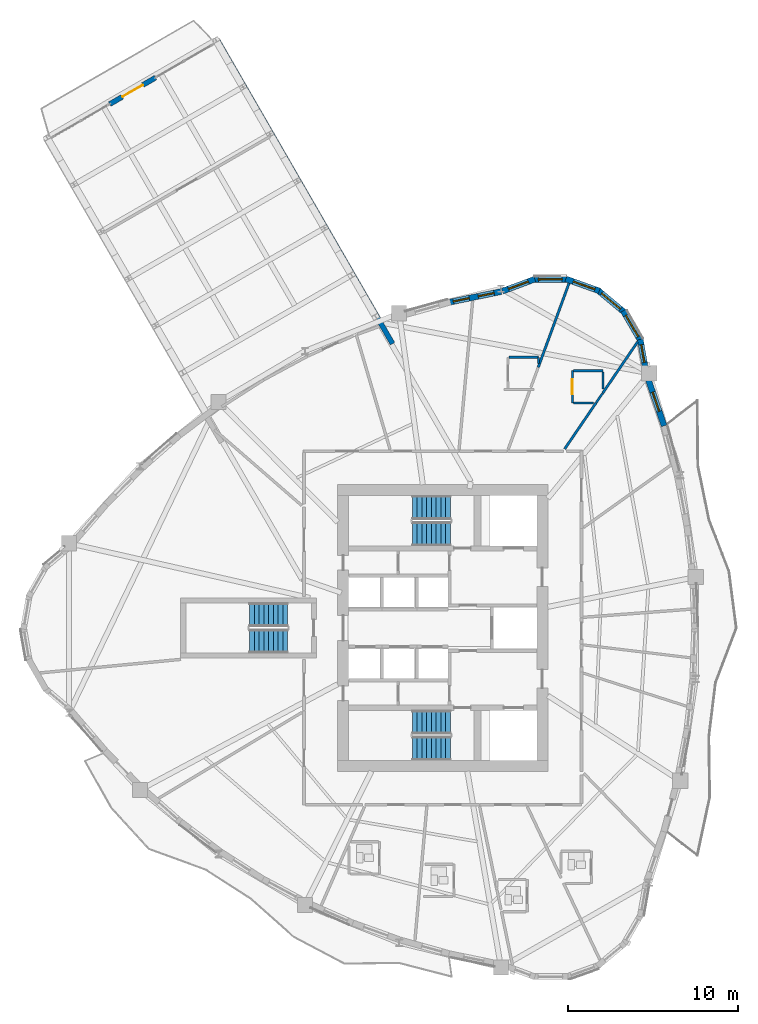
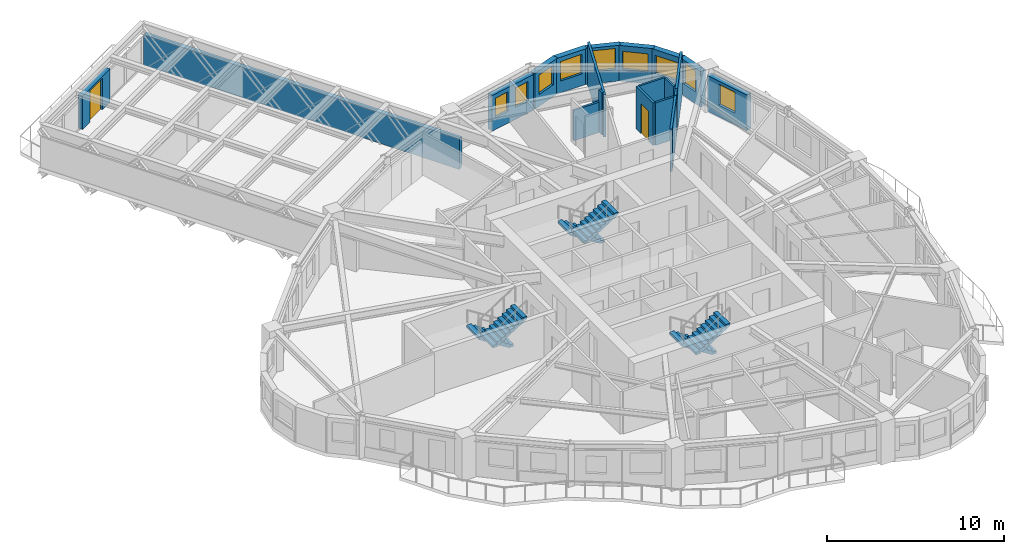
# One storey, part 10 of 14: 20 walls, 9 windows, 6 stair flights, 2 doors, 11 openings, 3 elements without a shape of their own.
"""IFC4 building model written with IfcOpenShell, lengths in metres."""

from ifc_helpers import new_model, si_unit, direction, frame, frame_2d, origin, place, context, subcontext, project, spatial, polyline, rectangle, outline, extrude, source, transform, mapped, material, layer, layer_set, type_object, element, fill, aggregate, save


model = new_model("IFC4")

# Units and contexts
model_context = context("Model", 3, precision=1e-05, world=origin(), true_north=direction((0.0, 1.0)))
body_context = subcontext(model_context, "Body", "Model", "MODEL_VIEW")
ifc_project = project(units=[si_unit("LENGTHUNIT", "METRE"), si_unit("AREAUNIT", "SQUARE_METRE"), si_unit("VOLUMEUNIT", "CUBIC_METRE"), si_unit("PLANEANGLEUNIT", "RADIAN"), si_unit("MASSUNIT", "GRAM", prefix="KILO")], contexts=[model_context])

# Site, building, storey
site_placement = place(None, origin())
site = spatial("IfcSite", under=ifc_project, at=site_placement, CompositionType="ELEMENT")
building_placement = place(site_placement, origin())
building = spatial("IfcBuilding", under=site, at=building_placement, Name="Qafzar Sky-Pleat Residences", CompositionType="ELEMENT")
storey_placement = place(building_placement, frame((0.0, 0.0, 83.199951171875)))
storey = spatial("IfcBuildingStorey", under=building, at=storey_placement, Name="L24", CompositionType="ELEMENT", Elevation=83.199951171875)

# Walls
ifc_material_1 = material(Name="Acoustic gypsum plasterboard partition", Category="gypsum")
ifc_layer_1 = layer(ifc_material_1, 0.14501953125)
ifc_layer_set_1 = layer_set([ifc_layer_1], Name="Acoustic gypsum plasterboard partition")
wall_type_1 = type_object("IfcWallType", Name="PART-UNIT-145", PredefinedType="PARTITIONING", material=ifc_layer_set_1)
wall_1_placement = place(storey_placement, frame((35.98291015625, 41.373046875, 0.0), z_axis=(0.0, 0.0, 1.0), x_axis=(0.343972978133, 0.938979547335, 0.0)))
element("IfcWall", 1, at=wall_1_placement, inside=storey, type_object=wall_type_1, Name="L24 Partition Wall PART-L24-PW-037", PredefinedType="PARTITIONING", context=body_context, shape_type="SweptSolid", body=[
    extrude(rectangle(XDim=5.272216796875, YDim=0.14501953125, at=frame_2d((2.63623046875, 0.0))), origin(), (0.0, 0.0, 1.0), 2.93505859375),
])
wall_2_placement = place(storey_placement, frame((39.781982421875, 39.846923828125, 0.0), z_axis=(0.0, 0.0, 1.0), x_axis=(0.562744405359, 0.826630954077, 0.0)))
element("IfcWall", 2, at=wall_2_placement, inside=storey, type_object=wall_type_1, Name="L24 Partition Wall PART-L24-PW-042", PredefinedType="PARTITIONING", context=body_context, shape_type="SweptSolid", body=[
    extrude(rectangle(XDim=3.658203125, YDim=0.14501953125, at=frame_2d((1.8291015625, 0.0))), origin(), (0.0, 0.0, 1.0), 2.93505859375),
])
wall_3_placement = place(storey_placement, frame((37.540771484375, 36.557373046875, 0.0), z_axis=(0.0, 0.0, 1.0), x_axis=(0.563020017907, 0.826443258449, 0.0)))
element("IfcWall", 3, at=wall_3_placement, inside=storey, type_object=wall_type_1, Name="L24 Partition Wall PART-L24-PW-044", PredefinedType="PARTITIONING", context=body_context, shape_type="SweptSolid", body=[
    extrude(rectangle(XDim=3.30029296875, YDim=0.14501953125, at=frame_2d((1.650146484375, 0.0))), origin(), (0.0, 0.0, 1.0), 2.93505859375),
])

# Wall, opening, door
ifc_material_2 = material(Name="Moisture-resistant gypsum partition", Category="gypsum")
ifc_layer_2 = layer(ifc_material_2, 0.1298828125)
ifc_layer_set_2 = layer_set([ifc_layer_2], Name="Moisture-resistant gypsum partition")
wall_type_2 = type_object("IfcWallType", Name="PART-WET-130", PredefinedType="PARTITIONING", material=ifc_layer_set_2)
wall_4_placement = place(storey_placement, frame((37.9970703125, 41.169921875, 0.0), z_axis=(0.0, 0.0, 1.0), x_axis=(0.0, -1.0, 0.0)))
wall_4 = element("IfcWall", 4, at=wall_4_placement, inside=storey, type_object=wall_type_2, Name="L24 Partition Wall PART-L24-PW-022", PredefinedType="PARTITIONING", context=body_context, shape_type="SweptSolid", body=[
    extrude(rectangle(XDim=1.89990234375, YDim=0.1298828125, at=frame_2d((0.949951171875, 0.0))), origin(), (0.0, 0.0, 1.0), 2.93505859375),
])
opening_1_placement = place(wall_4_placement, frame((0.510009765625, 0.0, 0.0)))
opening_1 = element("IfcOpeningElement", 5, at=opening_1_placement, cuts=wall_4, Name="Opening ID-07", PredefinedType="OPENING", context=body_context, shape_type="SweptSolid", body=[
    extrude(rectangle(XDim=0.8798828125, YDim=2.050048828125, at=frame_2d((0.43994140625, 1.02490234375))), frame((0.0, 0.074951171875, 0.0), z_axis=(0.0, -1.0, 0.0), x_axis=(1.0, 0.0, 0.0)), (0.0, 0.0, 1.0), 0.14990234375),
])
ifc_material_3 = material(Name="Timber-faced fire door", Category="wood")
door_type_1 = type_object("IfcDoorType", Name="DR-WET-880", OperationType="NOTDEFINED", PredefinedType="DOOR", material=ifc_material_3)
shared_shape_1 = source(origin(), body_context, "Body", "SweptSolid", [
    extrude(rectangle(XDim=0.8798828125, YDim=2.050048828125, at=frame_2d((0.43994140625, 1.02490234375))), frame((0.0, 0.02490234375, 0.0), z_axis=(0.0, -1.0, 0.0), x_axis=(1.0, 0.0, 0.0)), (0.0, 0.0, 1.0), 0.050048828125),
])
door_1_placement = place(opening_1_placement, origin())
door_1 = element("IfcDoor", 6, at=door_1_placement, inside=storey, type_object=door_type_1, Name="L24 En-suite Bathroom 5 Door", OperationType="SINGLE_SWING_RIGHT", OverallHeight=2.050048828125, OverallWidth=0.8798828125, PredefinedType="DOOR", context=body_context, shape_type="MappedRepresentation", body=[
    mapped(shared_shape_1, transform((0.0, 0.0, 0.0), x_axis=(1.0, 0.0, 0.0), y_axis=(0.0, 1.0, 0.0), z_axis=(0.0, 0.0, 1.0), scale=1.0)),
])
fill(opening_1, door_1)

# Walls
wall_5_placement = place(storey_placement, frame((38.070068359375, 41.169921875, 0.0), z_axis=(0.0, 0.0, 1.0), x_axis=(1.0, 0.0, 0.0)))
element("IfcWall", 7, at=wall_5_placement, inside=storey, type_object=wall_type_2, Name="L24 Partition Wall PART-L24-PW-056", PredefinedType="PARTITIONING", context=body_context, shape_type="SweptSolid", body=[
    extrude(rectangle(XDim=1.72705078125, YDim=0.1298828125, at=frame_2d((0.863525390625, 0.0))), origin(), (0.0, 0.0, 1.0), 2.93505859375),
])
wall_6_placement = place(storey_placement, frame((34.27099609375, 41.965087890625, 0.0), z_axis=(0.0, 0.0, 1.0), x_axis=(1.0, 0.0, 0.0)))
element("IfcWall", 8, at=wall_6_placement, inside=storey, type_object=wall_type_2, Name="L24 Partition Wall PART-L24-PW-057", PredefinedType="PARTITIONING", context=body_context, shape_type="SweptSolid", body=[
    extrude(rectangle(XDim=1.72705078125, YDim=0.1298828125, at=frame_2d((0.863525390625, 0.0))), origin(), (0.0, 0.0, 1.0), 2.10302734375),
])
wall_7_placement = place(storey_placement, frame((38.070068359375, 39.27001953125, 0.0), z_axis=(0.0, 0.0, 1.0), x_axis=(1.0, 0.0, 0.0)))
element("IfcWall", 9, at=wall_7_placement, inside=storey, type_object=wall_type_2, Name="L24 Partition Wall PART-L24-PW-062", PredefinedType="PARTITIONING", context=body_context, shape_type="SweptSolid", body=[
    extrude(rectangle(XDim=1.178955078125, YDim=0.1298828125, at=frame_2d((0.58935546875, 0.0))), origin(), (0.0, 0.0, 1.0), 2.93505859375),
])
wall_8_placement = place(storey_placement, frame((39.797119140625, 40.101318359375, 0.0), z_axis=(0.0, 0.0, 1.0), x_axis=(0.0, 1.0, 0.0)))
element("IfcWall", 10, at=wall_8_placement, inside=storey, type_object=wall_type_2, Name="L24 Partition Wall PART-L24-PW-066", PredefinedType="PARTITIONING", context=body_context, shape_type="SweptSolid", body=[
    extrude(rectangle(XDim=0.99560546875, YDim=0.1298828125, at=frame_2d((0.497802734375, 0.0))), origin(), (0.0, 0.0, 1.0), 2.93505859375),
])
wall_9_placement = place(storey_placement, frame((39.40771484375, 39.297119140625, 0.0), z_axis=(0.0, 0.0, 1.0), x_axis=(0.562042989861, 0.827108020483, 0.0)))
element("IfcWall", 11, at=wall_9_placement, inside=storey, type_object=wall_type_2, Name="L24 Partition Wall PART-L24-PW-069", PredefinedType="PARTITIONING", context=body_context, shape_type="SweptSolid", body=[
    extrude(rectangle(XDim=0.650146484375, YDim=0.1298828125, at=frame_2d((0.3251953125, 0.0))), origin(), (0.0, 0.0, 1.0), 2.93505859375),
])
wall_10_placement = place(storey_placement, frame((35.998046875, 41.593994140625, 0.0), z_axis=(0.0, 0.0, 1.0), x_axis=(0.0, 1.0, 0.0)))
element("IfcWall", 12, at=wall_10_placement, inside=storey, type_object=wall_type_2, Name="L24 Partition Wall PART-L24-PW-070", PredefinedType="PARTITIONING", context=body_context, shape_type="SweptSolid", body=[
    extrude(rectangle(XDim=0.37109375, YDim=0.1298828125, at=frame_2d((0.185546875, 0.0))), origin(), (0.0, 0.0, 1.0), 2.93505859375),
])
ifc_material_4 = material(Name="Precast concrete C40/50 with honed Riyadh limestone", Category="concrete")
ifc_layer_3 = layer(ifc_material_4, 0.300048828125)
ifc_layer_set_3 = layer_set([ifc_layer_3], Name="Precast concrete C40/50 with honed Riyadh limestone")
wall_type_3 = type_object("IfcWallType", Name="WALL-EXT-300", PredefinedType="SOLIDWALL", material=ifc_layer_set_3)
wall_11_placement = place(storey_placement, frame((27.390380859375, 42.766357421875, 0.0), z_axis=(0.0, 0.0, 1.0), x_axis=(-0.499999403898, 0.866025747944, 0.0)))
element("IfcWall", 13, at=wall_11_placement, inside=storey, type_object=wall_type_3, Name="L24 SB-2 Side Spandrel Wall R", PredefinedType="SOLIDWALL", context=body_context, shape_type="SweptSolid", body=[
    extrude(rectangle(XDim=20.60302734375, YDim=0.300048828125, at=frame_2d((10.301513671875, 0.0))), origin(), (0.0, 0.0, 1.0), 2.114990234375),
])

# Wall, opening, door
wall_12_placement = place(storey_placement, frame((10.71240234375, 56.89306640625, 0.0), z_axis=(0.0, 0.0, 1.0), x_axis=(0.866029224906, 0.499993381564, 0.0)))
wall_12 = element("IfcWall", 14, at=wall_12_placement, inside=storey, type_object=wall_type_3, Name="L24 SB-2 Prow Portal Wall", PredefinedType="SOLIDWALL", context=body_context, shape_type="SweptSolid", body=[
    extrude(rectangle(XDim=3.1201171875, YDim=0.300048828125, at=frame_2d((1.56005859375, 0.0))), origin(), (0.0, 0.0, 1.0), 2.300048828125),
])
opening_2_placement = place(wall_12_placement, frame((0.860107421875, 0.0, 0.0)))
opening_2 = element("IfcOpeningElement", 15, at=opening_2_placement, cuts=wall_12, Name="Opening ED-07", PredefinedType="OPENING", context=body_context, shape_type="SweptSolid", body=[
    extrude(rectangle(XDim=1.39990234375, YDim=2.14990234375, at=frame_2d((0.699951171875, 1.074951171875))), frame((0.0, 0.16015625, 0.0), z_axis=(0.0, -1.0, 0.0), x_axis=(1.0, 0.0, 0.0)), (0.0, 0.0, 1.0), 0.320068359375),
])
ifc_material_5 = material(Name="Glazed bronze aluminium door", Category="aluminium")
door_type_2 = type_object("IfcDoorType", Name="DR-SB-1400", OperationType="DOUBLE_DOOR_SINGLE_SWING", PredefinedType="DOOR", material=ifc_material_5)
shared_shape_2 = source(origin(), body_context, "Body", "SweptSolid", [
    extrude(rectangle(XDim=1.39990234375, YDim=2.14990234375, at=frame_2d((0.699951171875, 1.074951171875))), frame((0.0, 0.02490234375, 0.0), z_axis=(0.0, -1.0, 0.0), x_axis=(1.0, 0.0, 0.0)), (0.0, 0.0, 1.0), 0.050048828125),
])
door_2_placement = place(opening_2_placement, origin())
door_2 = element("IfcDoor", 16, at=door_2_placement, inside=storey, type_object=door_type_2, Name="L24 SB-2 Tip Balcony Glazed Door", OperationType="DOUBLE_DOOR_SINGLE_SWING", OverallHeight=2.14990234375, OverallWidth=1.39990234375, PredefinedType="DOOR", context=body_context, shape_type="MappedRepresentation", body=[
    mapped(shared_shape_2, transform((0.0, 0.0, 0.0), x_axis=(1.0, 0.0, 0.0), y_axis=(0.0, 1.0, 0.0), z_axis=(0.0, 0.0, 1.0), scale=1.0)),
])
fill(opening_2, door_2)

# Wall, opening, window
ifc_layer_4 = layer(ifc_material_4, 0.35009765625)
ifc_layer_set_4 = layer_set([ifc_layer_4], Name="Precast concrete C40/50 with honed Riyadh limestone")
wall_type_4 = type_object("IfcWallType", Name="WALL-EXT-350", PredefinedType="SOLIDWALL", material=ifc_layer_set_4)
wall_13_placement = place(storey_placement, frame((43.406494140625, 37.922607421875, 0.0), z_axis=(0.0, 0.0, 1.0), x_axis=(-0.323597196737, 0.946194934601, 0.0)))
wall_13 = element("IfcWall", 17, at=wall_13_placement, inside=storey, type_object=wall_type_4, Name="L24 Limestone Facade Wall 32", PredefinedType="SOLIDWALL", context=body_context, shape_type="SweptSolid", body=[
    extrude(rectangle(XDim=2.987548828125, YDim=0.35009765625, at=frame_2d((1.49365234375, 0.0))), origin(), (0.0, 0.0, 1.0), 2.465087890625),
])
opening_3_placement = place(wall_13_placement, frame((0.898681640625, 0.0, 0.820068359375)))
opening_3 = element("IfcOpeningElement", 18, at=opening_3_placement, cuts=wall_13, Name="Opening WN-05", PredefinedType="OPENING", context=body_context, shape_type="SweptSolid", body=[
    extrude(rectangle(XDim=1.199951171875, YDim=1.449951171875, at=frame_2d((0.60009765625, 0.72509765625))), frame((0.0, 0.18505859375, 0.0), z_axis=(0.0, -1.0, 0.0), x_axis=(1.0, 0.0, 0.0)), (0.0, 0.0, 1.0), 0.3701171875),
])
ifc_material_6 = material(Name="Solar-control low-E glass in bronze aluminium frame", Category="glass")
window_type_1 = type_object("IfcWindowType", Name="WIN-05", PartitioningType="SINGLE_PANEL", PredefinedType="WINDOW", material=ifc_material_6)
shared_shape_3 = source(origin(), body_context, "Body", "SweptSolid", [
    extrude(rectangle(XDim=1.199951171875, YDim=1.449951171875, at=frame_2d((0.60009765625, 0.72509765625))), frame((0.0, 0.030029296875, 0.0), z_axis=(0.0, -1.0, 0.0), x_axis=(1.0, 0.0, 0.0)), (0.0, 0.0, 1.0), 0.06005859375),
])
window_1_placement = place(opening_3_placement, origin())
window_1 = element("IfcWindow", 19, at=window_1_placement, inside=storey, type_object=window_type_1, Name="L24 Punched Facade Window 32", OverallHeight=1.449951171875, OverallWidth=1.199951171875, PartitioningType="SINGLE_PANEL", PredefinedType="WINDOW", context=body_context, shape_type="MappedRepresentation", body=[
    mapped(shared_shape_3, transform((0.0, 0.0, 0.0), x_axis=(1.0, 0.0, 0.0), y_axis=(0.0, 1.0, 0.0), z_axis=(0.0, 0.0, 1.0), scale=1.0)),
])
fill(opening_3, window_1)

wall_14_placement = place(storey_placement, frame((42.32080078125, 41.2099609375, 0.0), z_axis=(0.0, 0.0, 1.0), x_axis=(-0.174331490339, 0.984687022092, 0.0)))
wall_14 = element("IfcWall", 20, at=wall_14_placement, inside=storey, type_object=wall_type_4, Name="L24 Limestone Facade Wall 33", PredefinedType="SOLIDWALL", context=body_context, shape_type="SweptSolid", body=[
    extrude(rectangle(XDim=1.8359375, YDim=0.35009765625, at=frame_2d((0.91796875, 0.0))), origin(), (0.0, 0.0, 1.0), 2.465087890625),
])
opening_4_placement = place(wall_14_placement, frame((0.45849609375, 0.0, 0.820068359375)))
opening_4 = element("IfcOpeningElement", 21, at=opening_4_placement, cuts=wall_14, Name="Opening WN-06", PredefinedType="OPENING", context=body_context, shape_type="SweptSolid", body=[
    extrude(rectangle(XDim=1.050048828125, YDim=1.449951171875, at=frame_2d((0.52490234375, 0.72509765625))), frame((0.0, 0.18505859375, 0.0), z_axis=(0.0, -1.0, 0.0), x_axis=(1.0, 0.0, 0.0)), (0.0, 0.0, 1.0), 0.3701171875),
])
window_type_2 = type_object("IfcWindowType", Name="WIN-06", PartitioningType="SINGLE_PANEL", PredefinedType="WINDOW", material=ifc_material_6)
shared_shape_4 = source(origin(), body_context, "Body", "SweptSolid", [
    extrude(rectangle(XDim=1.050048828125, YDim=1.449951171875, at=frame_2d((0.52490234375, 0.72509765625))), frame((0.0, 0.030029296875, 0.0), z_axis=(0.0, -1.0, 0.0), x_axis=(1.0, 0.0, 0.0)), (0.0, 0.0, 1.0), 0.06005859375),
])
window_2_placement = place(opening_4_placement, origin())
window_2 = element("IfcWindow", 22, at=window_2_placement, inside=storey, type_object=window_type_2, Name="L24 Punched Facade Window 33", OverallHeight=1.449951171875, OverallWidth=1.050048828125, PartitioningType="SINGLE_PANEL", PredefinedType="WINDOW", context=body_context, shape_type="MappedRepresentation", body=[
    mapped(shared_shape_4, transform((0.0, 0.0, 0.0), x_axis=(1.0, 0.0, 0.0), y_axis=(0.0, 1.0, 0.0), z_axis=(0.0, 0.0, 1.0), scale=1.0)),
])
fill(opening_4, window_2)

wall_15_placement = place(storey_placement, frame((42.04736328125, 42.89013671875, 0.0), z_axis=(0.0, 0.0, 1.0), x_axis=(-0.501902596059, 0.864924149315, 0.0)))
wall_15 = element("IfcWall", 23, at=wall_15_placement, inside=storey, type_object=wall_type_4, Name="L24 Limestone Facade Wall 34", PredefinedType="SOLIDWALL", context=body_context, shape_type="SweptSolid", body=[
    extrude(rectangle(XDim=2.098876953125, YDim=0.35009765625, at=frame_2d((1.04931640625, 0.0))), origin(), (0.0, 0.0, 1.0), 2.465087890625),
])
opening_5_placement = place(wall_15_placement, frame((0.33349609375, 0.0, 0.820068359375)))
opening_5 = element("IfcOpeningElement", 24, at=opening_5_placement, cuts=wall_15, Name="Opening WN-15", PredefinedType="OPENING", context=body_context, shape_type="SweptSolid", body=[
    extrude(rectangle(XDim=1.449951171875, YDim=1.25, at=frame_2d((0.72509765625, 0.625))), frame((0.0, 0.18505859375, 0.0), z_axis=(0.0, -1.0, 0.0), x_axis=(1.0, 0.0, 0.0)), (0.0, 0.0, 1.0), 0.3701171875),
])
window_type_3 = type_object("IfcWindowType", Name="WIN-15", PartitioningType="SINGLE_PANEL", PredefinedType="WINDOW", material=ifc_material_6)
shared_shape_5 = source(origin(), body_context, "Body", "SweptSolid", [
    extrude(rectangle(XDim=1.449951171875, YDim=1.25, at=frame_2d((0.72509765625, 0.625))), frame((0.0, 0.030029296875, 0.0), z_axis=(0.0, -1.0, 0.0), x_axis=(1.0, 0.0, 0.0)), (0.0, 0.0, 1.0), 0.06005859375),
])
window_3_placement = place(opening_5_placement, origin())
window_3 = element("IfcWindow", 25, at=window_3_placement, inside=storey, type_object=window_type_3, Name="L24 Punched Facade Window 34", OverallHeight=1.25, OverallWidth=1.449951171875, PartitioningType="SINGLE_PANEL", PredefinedType="WINDOW", context=body_context, shape_type="MappedRepresentation", body=[
    mapped(shared_shape_5, transform((0.0, 0.0, 0.0), x_axis=(1.0, 0.0, 0.0), y_axis=(0.0, 1.0, 0.0), z_axis=(0.0, 0.0, 1.0), scale=1.0)),
])
fill(opening_5, window_3)

wall_16_placement = place(storey_placement, frame((41.08154296875, 44.601806640625, 0.0), z_axis=(0.0, 0.0, 1.0), x_axis=(-0.768497696041, 0.639852554249, 0.0)))
wall_16 = element("IfcWall", 26, at=wall_16_placement, inside=storey, type_object=wall_type_4, Name="L24 Limestone Facade Wall 35", PredefinedType="SOLIDWALL", context=body_context, shape_type="SweptSolid", body=[
    extrude(rectangle(XDim=2.098876953125, YDim=0.35009765625, at=frame_2d((1.04931640625, 0.0))), origin(), (0.0, 0.0, 1.0), 2.465087890625),
])
opening_6_placement = place(wall_16_placement, frame((0.324462890625, 0.0, 0.820068359375)))
opening_6 = element("IfcOpeningElement", 27, at=opening_6_placement, cuts=wall_16, Name="Opening WN-15", PredefinedType="OPENING", context=body_context, shape_type="SweptSolid", body=[
    extrude(rectangle(XDim=1.449951171875, YDim=1.25, at=frame_2d((0.72509765625, 0.625))), frame((0.0, 0.18505859375, 0.0), z_axis=(0.0, -1.0, 0.0), x_axis=(1.0, 0.0, 0.0)), (0.0, 0.0, 1.0), 0.3701171875),
])
window_4_placement = place(opening_6_placement, origin())
window_4 = element("IfcWindow", 28, at=window_4_placement, inside=storey, type_object=window_type_3, Name="L24 Punched Facade Window 35", OverallHeight=1.25, OverallWidth=1.449951171875, PartitioningType="SINGLE_PANEL", PredefinedType="WINDOW", context=body_context, shape_type="MappedRepresentation", body=[
    mapped(shared_shape_5, transform((0.0, 0.0, 0.0), x_axis=(1.0, 0.0, 0.0), y_axis=(0.0, 1.0, 0.0), z_axis=(0.0, 0.0, 1.0), scale=1.0)),
])
fill(opening_6, window_4)

wall_17_placement = place(storey_placement, frame((39.58642578125, 45.87744140625, 0.0), z_axis=(0.0, 0.0, 1.0), x_axis=(-0.941473186867, 0.33708787936, 0.0)))
wall_17 = element("IfcWall", 29, at=wall_17_placement, inside=storey, type_object=wall_type_4, Name="L24 Limestone Facade Wall 36", PredefinedType="SOLIDWALL", context=body_context, shape_type="SweptSolid", body=[
    extrude(rectangle(XDim=2.098876953125, YDim=0.35009765625, at=frame_2d((1.04931640625, 0.0))), origin(), (0.0, 0.0, 1.0), 2.465087890625),
])
opening_7_placement = place(wall_17_placement, frame((0.28271484375, 0.0, 0.820068359375)))
opening_7 = element("IfcOpeningElement", 30, at=opening_7_placement, cuts=wall_17, Name="Opening WN-04", PredefinedType="OPENING", context=body_context, shape_type="SweptSolid", body=[
    extrude(rectangle(XDim=1.35009765625, YDim=1.449951171875, at=frame_2d((0.675048828125, 0.72509765625))), frame((0.0, 0.18505859375, 0.0), z_axis=(0.0, -1.0, 0.0), x_axis=(1.0, 0.0, 0.0)), (0.0, 0.0, 1.0), 0.3701171875),
])
window_type_4 = type_object("IfcWindowType", Name="WIN-04", PartitioningType="SINGLE_PANEL", PredefinedType="WINDOW", material=ifc_material_6)
shared_shape_6 = source(origin(), body_context, "Body", "SweptSolid", [
    extrude(rectangle(XDim=1.35009765625, YDim=1.449951171875, at=frame_2d((0.675048828125, 0.72509765625))), frame((0.0, 0.030029296875, 0.0), z_axis=(0.0, -1.0, 0.0), x_axis=(1.0, 0.0, 0.0)), (0.0, 0.0, 1.0), 0.06005859375),
])
window_5_placement = place(opening_7_placement, origin())
window_5 = element("IfcWindow", 31, at=window_5_placement, inside=storey, type_object=window_type_4, Name="L24 Punched Facade Window 36", OverallHeight=1.449951171875, OverallWidth=1.35009765625, PartitioningType="SINGLE_PANEL", PredefinedType="WINDOW", context=body_context, shape_type="MappedRepresentation", body=[
    mapped(shared_shape_6, transform((0.0, 0.0, 0.0), x_axis=(1.0, 0.0, 0.0), y_axis=(0.0, 1.0, 0.0), z_axis=(0.0, 0.0, 1.0), scale=1.0)),
])
fill(opening_7, window_5)

wall_18_placement = place(storey_placement, frame((37.744384765625, 46.562255859375, 0.0), z_axis=(0.0, 0.0, 1.0), x_axis=(-0.999976451414, -0.006862697526, 0.0)))
wall_18 = element("IfcWall", 32, at=wall_18_placement, inside=storey, type_object=wall_type_4, Name="L24 Limestone Facade Wall 37", PredefinedType="SOLIDWALL", context=body_context, shape_type="SweptSolid", body=[
    extrude(rectangle(XDim=2.098876953125, YDim=0.35009765625, at=frame_2d((1.04931640625, 0.0))), origin(), (0.0, 0.0, 1.0), 2.465087890625),
])
opening_8_placement = place(wall_18_placement, frame((0.349609375, 0.0, 0.820068359375)))
opening_8 = element("IfcOpeningElement", 33, at=opening_8_placement, cuts=wall_18, Name="Opening WN-10", PredefinedType="OPENING", context=body_context, shape_type="SweptSolid", body=[
    extrude(rectangle(XDim=1.39990234375, YDim=1.35009765625, at=frame_2d((0.699951171875, 0.675048828125))), frame((0.0, 0.18505859375, 0.0), z_axis=(0.0, -1.0, 0.0), x_axis=(1.0, 0.0, 0.0)), (0.0, 0.0, 1.0), 0.3701171875),
])
window_type_5 = type_object("IfcWindowType", Name="WIN-10", PartitioningType="SINGLE_PANEL", PredefinedType="WINDOW", material=ifc_material_6)
shared_shape_7 = source(origin(), body_context, "Body", "SweptSolid", [
    extrude(rectangle(XDim=1.39990234375, YDim=1.35009765625, at=frame_2d((0.699951171875, 0.675048828125))), frame((0.0, 0.030029296875, 0.0), z_axis=(0.0, -1.0, 0.0), x_axis=(1.0, 0.0, 0.0)), (0.0, 0.0, 1.0), 0.06005859375),
])
window_6_placement = place(opening_8_placement, origin())
window_6 = element("IfcWindow", 34, at=window_6_placement, inside=storey, type_object=window_type_5, Name="L24 Punched Facade Window 37", OverallHeight=1.35009765625, OverallWidth=1.39990234375, PartitioningType="SINGLE_PANEL", PredefinedType="WINDOW", context=body_context, shape_type="MappedRepresentation", body=[
    mapped(shared_shape_7, transform((0.0, 0.0, 0.0), x_axis=(1.0, 0.0, 0.0), y_axis=(0.0, 1.0, 0.0), z_axis=(0.0, 0.0, 1.0), scale=1.0)),
])
fill(opening_8, window_6)

wall_19_placement = place(storey_placement, frame((35.779052734375, 46.572509765625, 0.0), z_axis=(0.0, 0.0, 1.0), x_axis=(-0.9368002254, -0.349864741994, 0.0)))
wall_19 = element("IfcWall", 35, at=wall_19_placement, inside=storey, type_object=wall_type_4, Name="L24 Limestone Facade Wall 38", PredefinedType="SOLIDWALL", context=body_context, shape_type="SweptSolid", body=[
    extrude(rectangle(XDim=2.041015625, YDim=0.35009765625, at=frame_2d((1.0205078125, 0.0))), origin(), (0.0, 0.0, 1.0), 2.465087890625),
])
opening_9_placement = place(wall_19_placement, frame((0.405517578125, 0.0, 0.820068359375)))
opening_9 = element("IfcOpeningElement", 36, at=opening_9_placement, cuts=wall_19, Name="Opening WN-11", PredefinedType="OPENING", context=body_context, shape_type="SweptSolid", body=[
    extrude(rectangle(XDim=1.25, YDim=1.35009765625, at=frame_2d((0.625, 0.675048828125))), frame((0.0, 0.18505859375, 0.0), z_axis=(0.0, -1.0, 0.0), x_axis=(1.0, 0.0, 0.0)), (0.0, 0.0, 1.0), 0.3701171875),
])
window_type_6 = type_object("IfcWindowType", Name="WIN-11", PartitioningType="SINGLE_PANEL", PredefinedType="WINDOW", material=ifc_material_6)
shared_shape_8 = source(origin(), body_context, "Body", "SweptSolid", [
    extrude(rectangle(XDim=1.25, YDim=1.35009765625, at=frame_2d((0.625, 0.675048828125))), frame((0.0, 0.030029296875, 0.0), z_axis=(0.0, -1.0, 0.0), x_axis=(1.0, 0.0, 0.0)), (0.0, 0.0, 1.0), 0.06005859375),
])
window_7_placement = place(opening_9_placement, origin())
window_7 = element("IfcWindow", 37, at=window_7_placement, inside=storey, type_object=window_type_6, Name="L24 Punched Facade Window 38", OverallHeight=1.35009765625, OverallWidth=1.25, PartitioningType="SINGLE_PANEL", PredefinedType="WINDOW", context=body_context, shape_type="MappedRepresentation", body=[
    mapped(shared_shape_8, transform((0.0, 0.0, 0.0), x_axis=(1.0, 0.0, 0.0), y_axis=(0.0, 1.0, 0.0), z_axis=(0.0, 0.0, 1.0), scale=1.0)),
])
fill(opening_9, window_7)

# Wall, openings, windows
wall_20_placement = place(storey_placement, frame((33.802734375, 45.840087890625, 0.0), z_axis=(0.0, 0.0, 1.0), x_axis=(-0.97943222174, -0.201773444777, 0.0)))
wall_20 = element("IfcWall", 38, at=wall_20_placement, inside=storey, type_object=wall_type_4, Name="L24 Limestone Facade Wall 39", PredefinedType="SOLIDWALL", context=body_context, shape_type="SweptSolid", body=[
    extrude(rectangle(XDim=3.1435546875, YDim=0.35009765625, at=frame_2d((1.57177734375, 0.0))), origin(), (0.0, 0.0, 1.0), 2.465087890625),
])
opening_10_placement = place(wall_20_placement, frame((0.430908203125, 0.0, 0.820068359375)))
opening_10 = element("IfcOpeningElement", 39, at=opening_10_placement, cuts=wall_20, Name="Opening WN-12", PredefinedType="OPENING", context=body_context, shape_type="SweptSolid", body=[
    extrude(rectangle(XDim=0.949951171875, YDim=1.35009765625, at=frame_2d((0.47509765625, 0.675048828125))), frame((0.0, 0.18505859375, 0.0), z_axis=(0.0, -1.0, 0.0), x_axis=(1.0, 0.0, 0.0)), (0.0, 0.0, 1.0), 0.3701171875),
])
opening_11_placement = place(wall_20_placement, frame((1.93310546875, 0.0, 0.820068359375)))
opening_11 = element("IfcOpeningElement", 40, at=opening_11_placement, cuts=wall_20, Name="Opening WN-12", PredefinedType="OPENING", context=body_context, shape_type="SweptSolid", body=[
    extrude(rectangle(XDim=0.949951171875, YDim=1.35009765625, at=frame_2d((0.47509765625, 0.675048828125))), frame((0.0, 0.18505859375, 0.0), z_axis=(0.0, -1.0, 0.0), x_axis=(1.0, 0.0, 0.0)), (0.0, 0.0, 1.0), 0.3701171875),
])
window_type_7 = type_object("IfcWindowType", Name="WIN-12", PartitioningType="SINGLE_PANEL", PredefinedType="WINDOW", material=ifc_material_6)
shared_shape_9 = source(origin(), body_context, "Body", "SweptSolid", [
    extrude(rectangle(XDim=0.949951171875, YDim=1.35009765625, at=frame_2d((0.47509765625, 0.675048828125))), frame((0.0, 0.030029296875, 0.0), z_axis=(0.0, -1.0, 0.0), x_axis=(1.0, 0.0, 0.0)), (0.0, 0.0, 1.0), 0.06005859375),
])
window_8_placement = place(opening_10_placement, origin())
window_8 = element("IfcWindow", 41, at=window_8_placement, inside=storey, type_object=window_type_7, Name="L24 Punched Facade Window 39", OverallHeight=1.35009765625, OverallWidth=0.949951171875, PartitioningType="SINGLE_PANEL", PredefinedType="WINDOW", context=body_context, shape_type="MappedRepresentation", body=[
    mapped(shared_shape_9, transform((0.0, 0.0, 0.0), x_axis=(1.0, 0.0, 0.0), y_axis=(0.0, 1.0, 0.0), z_axis=(0.0, 0.0, 1.0), scale=1.0)),
])
fill(opening_10, window_8)
window_9_placement = place(opening_11_placement, origin())
window_9 = element("IfcWindow", 42, at=window_9_placement, inside=storey, type_object=window_type_7, Name="L24 Punched Facade Window 39-2", OverallHeight=1.35009765625, OverallWidth=0.949951171875, PartitioningType="SINGLE_PANEL", PredefinedType="WINDOW", context=body_context, shape_type="MappedRepresentation", body=[
    mapped(shared_shape_9, transform((0.0, 0.0, 0.0), x_axis=(1.0, 0.0, 0.0), y_axis=(0.0, 1.0, 0.0), z_axis=(0.0, 0.0, 1.0), scale=1.0)),
])
fill(opening_11, window_9)

# Stair, stair flights
ifc_material_7 = material(Name="Concrete C40/50", Category="concrete")
stair_type = type_object("IfcStairType", Name="STAIR-H320", PredefinedType="HALF_TURN_STAIR", material=ifc_material_7)
stair_1_placement = place(storey_placement, origin())
stair_1 = element("IfcStair", 43, at=stair_1_placement, inside=storey, type_object=stair_type, Name="L24 Protected Exit Stair ST1", PredefinedType="HALF_TURN_STAIR")
stair_flight_type = type_object("IfcStairFlightType", Name="FLIGHT-H320", PredefinedType="STRAIGHT", material=ifc_material_7)
shared_shape_10 = source(origin(), body_context, "Body", "SweptSolid", [
    extrude(outline(polyline([(0.0, 0.0), (0.0, 0.177734375), (0.280029296875, 0.177734375), (0.280029296875, 0.35546875), (0.56005859375, 0.35546875), (0.56005859375, 0.533447265625), (0.840087890625, 0.533447265625), (0.840087890625, 0.711181640625), (1.1201171875, 0.711181640625), (1.1201171875, 0.888916015625), (1.39990234375, 0.888916015625), (1.39990234375, 1.066650390625), (1.679931640625, 1.066650390625), (1.679931640625, 1.244384765625), (1.9599609375, 1.244384765625), (1.9599609375, 1.422119140625), (2.239990234375, 1.422119140625), (2.239990234375, 1.60009765625), (2.239990234375, 1.24462890625), (0.27978515625, 0.0), (0.0, 0.0)])), frame((0.0, 0.699951171875, 0.0), z_axis=(0.0, -1.0, 0.0), x_axis=(1.0, 0.0, 0.0)), (0.0, 0.0, 1.0), 1.39990234375),
])
stair_flight_1_placement = place(storey_placement, frame((30.800048828125, 20.449951171875, 0.0), z_axis=(0.0, 0.0, 1.0), x_axis=(-1.0, 0.0, 0.0)))
stair_flight_1 = element("IfcStairFlight", 44, at=stair_flight_1_placement, type_object=stair_flight_type, Name="ST1 flight 1", NumberOfRisers=9, NumberOfTreads=8, PredefinedType="STRAIGHT", RiserHeight=0.177777778, TreadLength=0.28, context=body_context, shape_type="MappedRepresentation", body=[
    mapped(shared_shape_10, transform((0.0, 0.0, 0.0), x_axis=(1.0, 0.0, 0.0), y_axis=(0.0, 1.0, 0.0), z_axis=(0.0, 0.0, 1.0), scale=1.0)),
])
stair_flight_2_placement = place(storey_placement, frame((28.56005859375, 18.89990234375, 1.60009765625), z_axis=(0.0, 0.0, 1.0), x_axis=(1.0, 0.0, 0.0)))
stair_flight_2 = element("IfcStairFlight", 45, at=stair_flight_2_placement, type_object=stair_flight_type, Name="ST1 flight 2", NumberOfRisers=9, NumberOfTreads=8, PredefinedType="STRAIGHT", RiserHeight=0.177777778, TreadLength=0.28, context=body_context, shape_type="MappedRepresentation", body=[
    mapped(shared_shape_10, transform((0.0, 0.0, 0.0), x_axis=(1.0, 0.0, 0.0), y_axis=(0.0, 1.0, 0.0), z_axis=(0.0, 0.0, 1.0), scale=1.0)),
])
aggregate(stair_1, [stair_flight_1, stair_flight_2])

stair_2_placement = place(storey_placement, origin())
stair_2 = element("IfcStair", 46, at=stair_2_placement, inside=storey, type_object=stair_type, Name="L24 Protected Exit Stair ST2", PredefinedType="HALF_TURN_STAIR")
stair_flight_3_placement = place(storey_placement, frame((30.800048828125, 33.10009765625, 0.0), z_axis=(0.0, 0.0, 1.0), x_axis=(-1.0, 0.0, 0.0)))
stair_flight_3 = element("IfcStairFlight", 47, at=stair_flight_3_placement, type_object=stair_flight_type, Name="ST2 flight 1", NumberOfRisers=9, NumberOfTreads=8, PredefinedType="STRAIGHT", RiserHeight=0.177777778, TreadLength=0.28, context=body_context, shape_type="MappedRepresentation", body=[
    mapped(shared_shape_10, transform((0.0, 0.0, 0.0), x_axis=(1.0, 0.0, 0.0), y_axis=(0.0, 1.0, 0.0), z_axis=(0.0, 0.0, 1.0), scale=1.0)),
])
stair_flight_4_placement = place(storey_placement, frame((28.56005859375, 31.550048828125, 1.60009765625), z_axis=(0.0, 0.0, 1.0), x_axis=(1.0, 0.0, 0.0)))
stair_flight_4 = element("IfcStairFlight", 48, at=stair_flight_4_placement, type_object=stair_flight_type, Name="ST2 flight 2", NumberOfRisers=9, NumberOfTreads=8, PredefinedType="STRAIGHT", RiserHeight=0.177777778, TreadLength=0.28, context=body_context, shape_type="MappedRepresentation", body=[
    mapped(shared_shape_10, transform((0.0, 0.0, 0.0), x_axis=(1.0, 0.0, 0.0), y_axis=(0.0, 1.0, 0.0), z_axis=(0.0, 0.0, 1.0), scale=1.0)),
])
aggregate(stair_2, [stair_flight_3, stair_flight_4])

stair_3_placement = place(storey_placement, origin())
stair_3 = element("IfcStair", 49, at=stair_3_placement, inside=storey, type_object=stair_type, Name="L24 Protected Exit Stair ST3", PredefinedType="HALF_TURN_STAIR")
stair_flight_5_placement = place(storey_placement, frame((21.199951171875, 26.77490234375, 0.0), z_axis=(0.0, 0.0, 1.0), x_axis=(-1.0, 0.0, 0.0)))
stair_flight_5 = element("IfcStairFlight", 50, at=stair_flight_5_placement, type_object=stair_flight_type, Name="ST3 flight 1", NumberOfRisers=9, NumberOfTreads=8, PredefinedType="STRAIGHT", RiserHeight=0.177777778, TreadLength=0.28, context=body_context, shape_type="MappedRepresentation", body=[
    mapped(shared_shape_10, transform((0.0, 0.0, 0.0), x_axis=(1.0, 0.0, 0.0), y_axis=(0.0, 1.0, 0.0), z_axis=(0.0, 0.0, 1.0), scale=1.0)),
])
stair_flight_6_placement = place(storey_placement, frame((18.9599609375, 25.22509765625, 1.60009765625), z_axis=(0.0, 0.0, 1.0), x_axis=(1.0, 0.0, 0.0)))
stair_flight_6 = element("IfcStairFlight", 51, at=stair_flight_6_placement, type_object=stair_flight_type, Name="ST3 flight 2", NumberOfRisers=9, NumberOfTreads=8, PredefinedType="STRAIGHT", RiserHeight=0.177777778, TreadLength=0.28, context=body_context, shape_type="MappedRepresentation", body=[
    mapped(shared_shape_10, transform((0.0, 0.0, 0.0), x_axis=(1.0, 0.0, 0.0), y_axis=(0.0, 1.0, 0.0), z_axis=(0.0, 0.0, 1.0), scale=1.0)),
])
aggregate(stair_3, [stair_flight_5, stair_flight_6])

save(model, "model.ifc")
